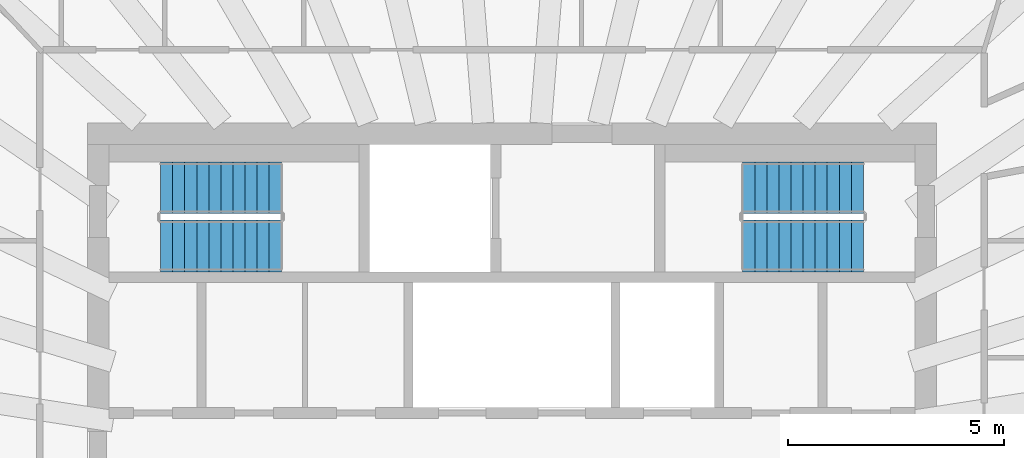
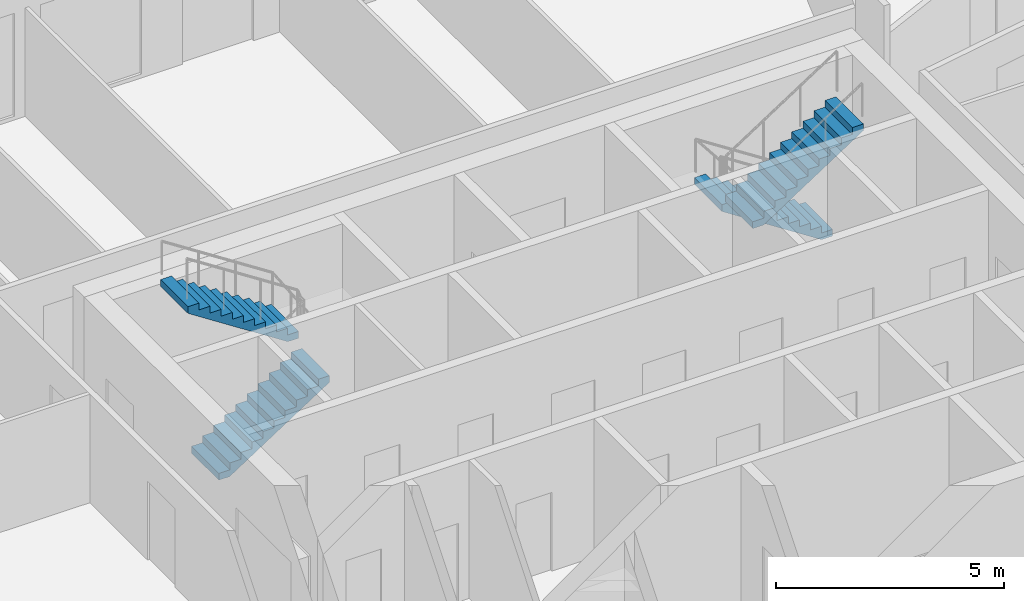
# One storey, part 8 of 12: 4 stair flights, 2 elements without a shape of their own.
"""IFC4 building model written with IfcOpenShell, lengths in metres."""

from ifc_helpers import new_model, si_unit, direction, frame, origin, place, context, subcontext, project, spatial, polyline, outline, extrude, material, layer, layer_set, type_object, element, aggregate, save


model = new_model("IFC4")

# Units and contexts
model_context = context("Model", 3, precision=1e-05, world=origin(), true_north=direction((0.0, 1.0)))
body_context = subcontext(model_context, "Body", "Model", "MODEL_VIEW")
ifc_project = project(units=[si_unit("LENGTHUNIT", "METRE"), si_unit("AREAUNIT", "SQUARE_METRE"), si_unit("VOLUMEUNIT", "CUBIC_METRE"), si_unit("PLANEANGLEUNIT", "RADIAN"), si_unit("MASSUNIT", "GRAM", prefix="KILO")], contexts=[model_context])

# Site, building, storey
site_placement = place(None, origin())
site = spatial("IfcSite", under=ifc_project, at=site_placement, CompositionType="ELEMENT")
building_placement = place(site_placement, origin())
building = spatial("IfcBuilding", under=site, at=building_placement, Name="Frailejon Research Tower", CompositionType="ELEMENT")
storey_placement = place(building_placement, frame((0.0, 0.0, 267.0)))
storey = spatial("IfcBuildingStorey", under=building, at=storey_placement, Name="L58", CompositionType="ELEMENT", Elevation=267.0)

# Stair, stair flights
ifc_material_1 = material(Name="Concrete C50/60", Category="concrete")
stair_type = type_object("IfcStairType", Name="Exit stair 22 risers", PredefinedType="HALF_TURN_STAIR", material=ifc_material_1)
stair_1_placement = place(storey_placement, origin())
stair_1 = element("IfcStair", 1, at=stair_1_placement, inside=storey, type_object=stair_type, Name="L58 Exit stair ST1", PredefinedType="HALF_TURN_STAIR")
ifc_material_2 = material(Name="Concrete C50/60", Category="concrete")
ifc_layer = layer(ifc_material_2, 0.14990234375)
ifc_layer_set = layer_set([ifc_layer], Name="Stair flight 11 risers")
stair_flight_type = type_object("IfcStairFlightType", Name="Stair flight 11 risers", PredefinedType="STRAIGHT", material=ifc_layer_set)
stair_flight_1_placement = place(storey_placement, frame((-8.14990234375, 5.5, 0.0), z_axis=(0.0, 0.0, 1.0), x_axis=(1.0, 0.0, 0.0)))
stair_flight_1 = element("IfcStairFlight", 2, at=stair_flight_1_placement, type_object=stair_flight_type, Name="ST1 flight 1", NumberOfRisers=11, NumberOfTreads=10, PredefinedType="STRAIGHT", RiserHeight=0.181818182, TreadLength=0.28, context=body_context, shape_type="SweptSolid", body=[
    extrude(outline(polyline([(0.0, 0.0), (0.0, 0.181884765625), (0.280029296875, 0.181884765625), (0.280029296875, 0.363525390625), (0.56005859375, 0.363525390625), (0.56005859375, 0.54541015625), (0.840087890625, 0.54541015625), (0.840087890625, 0.727294921875), (1.1201171875, 0.727294921875), (1.1201171875, 0.9091796875), (1.39990234375, 0.9091796875), (1.39990234375, 1.0908203125), (1.679931640625, 1.0908203125), (1.679931640625, 1.272705078125), (1.9599609375, 1.272705078125), (1.9599609375, 1.45458984375), (2.239990234375, 1.45458984375), (2.239990234375, 1.636474609375), (2.52001953125, 1.636474609375), (2.52001953125, 1.818115234375), (2.800048828125, 1.818115234375), (2.800048828125, 2.0), (2.800048828125, 1.639404296875), (0.275146484375, 0.0), (0.0, 0.0)])), frame((0.0, 0.60009765625, 0.0), z_axis=(0.0, -1.0, 0.0), x_axis=(1.0, 0.0, 0.0)), (0.0, 0.0, 1.0), 1.199951171875),
])
stair_flight_2_placement = place(storey_placement, frame((-5.35009765625, 6.85009765625, 2.0), z_axis=(0.0, 0.0, 1.0), x_axis=(-1.0, 0.0, 0.0)))
stair_flight_2 = element("IfcStairFlight", 3, at=stair_flight_2_placement, type_object=stair_flight_type, Name="ST1 flight 2", NumberOfRisers=11, NumberOfTreads=10, PredefinedType="STRAIGHT", RiserHeight=0.181818182, TreadLength=0.28, context=body_context, shape_type="SweptSolid", body=[
    extrude(outline(polyline([(0.0, 0.0), (0.0, 0.181884765625), (0.280029296875, 0.181884765625), (0.280029296875, 0.363525390625), (0.56005859375, 0.363525390625), (0.56005859375, 0.54541015625), (0.840087890625, 0.54541015625), (0.840087890625, 0.727294921875), (1.1201171875, 0.727294921875), (1.1201171875, 0.9091796875), (1.39990234375, 0.9091796875), (1.39990234375, 1.0908203125), (1.679931640625, 1.0908203125), (1.679931640625, 1.272705078125), (1.9599609375, 1.272705078125), (1.9599609375, 1.45458984375), (2.239990234375, 1.45458984375), (2.239990234375, 1.636474609375), (2.52001953125, 1.636474609375), (2.52001953125, 1.818115234375), (2.800048828125, 1.818115234375), (2.800048828125, 2.0), (2.800048828125, 1.639404296875), (0.275146484375, 0.0), (0.0, 0.0)])), frame((0.0, 0.60009765625, 0.0), z_axis=(0.0, -1.0, 0.0), x_axis=(1.0, 0.0, 0.0)), (0.0, 0.0, 1.0), 1.199951171875),
])
aggregate(stair_1, [stair_flight_1, stair_flight_2])

stair_2_placement = place(storey_placement, origin())
stair_2 = element("IfcStair", 4, at=stair_2_placement, inside=storey, type_object=stair_type, Name="L58 Exit stair ST3", PredefinedType="HALF_TURN_STAIR")
stair_flight_3_placement = place(storey_placement, frame((8.14990234375, 6.85009765625, 0.0), z_axis=(0.0, 0.0, 1.0), x_axis=(-1.0, 0.0, 0.0)))
stair_flight_3 = element("IfcStairFlight", 5, at=stair_flight_3_placement, type_object=stair_flight_type, Name="ST3 flight 1", NumberOfRisers=11, NumberOfTreads=10, PredefinedType="STRAIGHT", RiserHeight=0.181818182, TreadLength=0.28, context=body_context, shape_type="SweptSolid", body=[
    extrude(outline(polyline([(0.0, 0.0), (0.0, 0.181884765625), (0.280029296875, 0.181884765625), (0.280029296875, 0.363525390625), (0.56005859375, 0.363525390625), (0.56005859375, 0.54541015625), (0.840087890625, 0.54541015625), (0.840087890625, 0.727294921875), (1.1201171875, 0.727294921875), (1.1201171875, 0.9091796875), (1.39990234375, 0.9091796875), (1.39990234375, 1.0908203125), (1.679931640625, 1.0908203125), (1.679931640625, 1.272705078125), (1.9599609375, 1.272705078125), (1.9599609375, 1.45458984375), (2.239990234375, 1.45458984375), (2.239990234375, 1.636474609375), (2.52001953125, 1.636474609375), (2.52001953125, 1.818115234375), (2.800048828125, 1.818115234375), (2.800048828125, 2.0), (2.800048828125, 1.639404296875), (0.275146484375, 0.0), (0.0, 0.0)])), frame((0.0, 0.60009765625, 0.0), z_axis=(0.0, -1.0, 0.0), x_axis=(1.0, 0.0, 0.0)), (0.0, 0.0, 1.0), 1.199951171875),
])
stair_flight_4_placement = place(storey_placement, frame((5.35009765625, 5.5, 2.0), z_axis=(0.0, 0.0, 1.0), x_axis=(1.0, 0.0, 0.0)))
stair_flight_4 = element("IfcStairFlight", 6, at=stair_flight_4_placement, type_object=stair_flight_type, Name="ST3 flight 2", NumberOfRisers=11, NumberOfTreads=10, PredefinedType="STRAIGHT", RiserHeight=0.181818182, TreadLength=0.28, context=body_context, shape_type="SweptSolid", body=[
    extrude(outline(polyline([(0.0, 0.0), (0.0, 0.181884765625), (0.280029296875, 0.181884765625), (0.280029296875, 0.363525390625), (0.56005859375, 0.363525390625), (0.56005859375, 0.54541015625), (0.840087890625, 0.54541015625), (0.840087890625, 0.727294921875), (1.1201171875, 0.727294921875), (1.1201171875, 0.9091796875), (1.39990234375, 0.9091796875), (1.39990234375, 1.0908203125), (1.679931640625, 1.0908203125), (1.679931640625, 1.272705078125), (1.9599609375, 1.272705078125), (1.9599609375, 1.45458984375), (2.239990234375, 1.45458984375), (2.239990234375, 1.636474609375), (2.52001953125, 1.636474609375), (2.52001953125, 1.818115234375), (2.800048828125, 1.818115234375), (2.800048828125, 2.0), (2.800048828125, 1.639404296875), (0.275146484375, 0.0), (0.0, 0.0)])), frame((0.0, 0.60009765625, 0.0), z_axis=(0.0, -1.0, 0.0), x_axis=(1.0, 0.0, 0.0)), (0.0, 0.0, 1.0), 1.199951171875),
])
aggregate(stair_2, [stair_flight_3, stair_flight_4])

save(model, "model.ifc")
